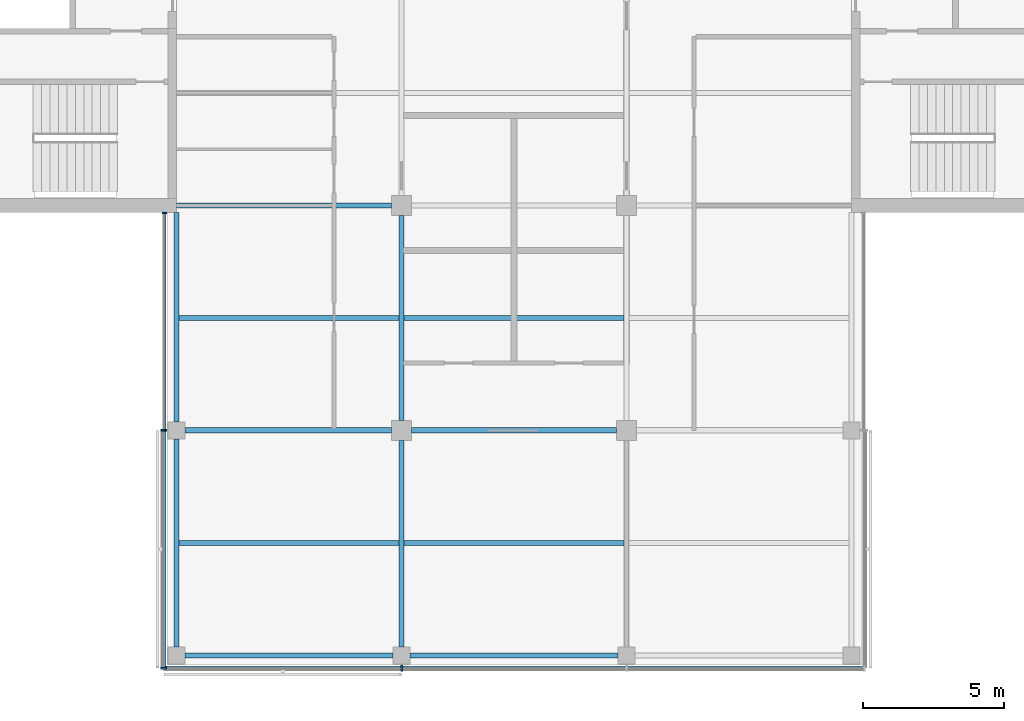
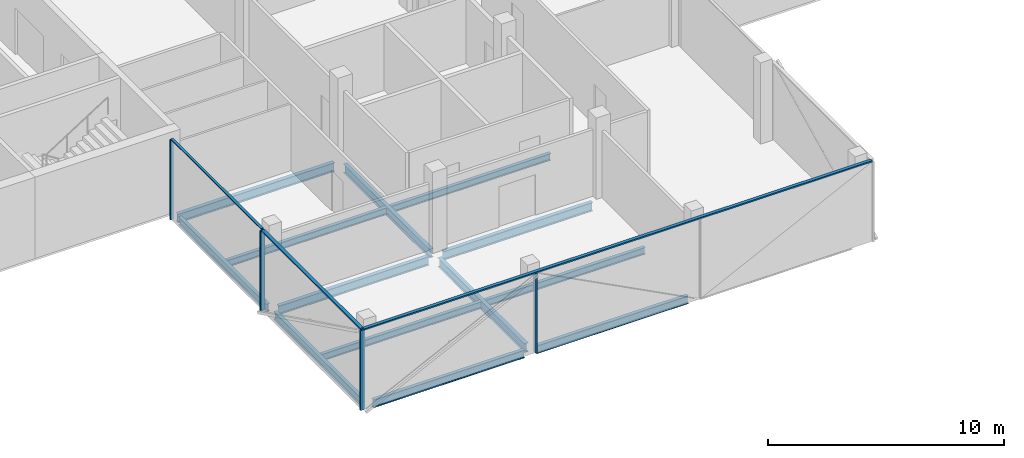
# One storey, part 2 of 16: 13 beams, 8 members, 3 elements without a shape of their own.
"""IFC4 building model written with IfcOpenShell, lengths in metres."""

from ifc_helpers import new_model, si_unit, direction, frame, origin, origin_2d, place, context, subcontext, project, spatial, rectangle, i_section, extrude, material, material_profile, profile_set, type_object, element, aggregate, save


model = new_model("IFC4")

# Units and contexts
model_context = context("Model", 3, precision=1e-05, world=origin(), true_north=direction((0.0, 1.0)))
body_context = subcontext(model_context, "Body", "Model", "MODEL_VIEW")
ifc_project = project(units=[si_unit("LENGTHUNIT", "METRE"), si_unit("AREAUNIT", "SQUARE_METRE"), si_unit("VOLUMEUNIT", "CUBIC_METRE"), si_unit("PLANEANGLEUNIT", "RADIAN"), si_unit("MASSUNIT", "GRAM", prefix="KILO")], contexts=[model_context])

# Site, building, storey
site_placement = place(None, origin())
site = spatial("IfcSite", under=ifc_project, at=site_placement, CompositionType="ELEMENT")
building_placement = place(site_placement, origin())
building = spatial("IfcBuilding", under=site, at=building_placement, Name="Crosswind Convention Tower", CompositionType="ELEMENT")
storey_placement = place(building_placement, frame((0.0, 0.0, 274.5)))
storey = spatial("IfcBuildingStorey", under=building, at=storey_placement, Name="L59", CompositionType="ELEMENT", Elevation=274.5)

# Beams
ifc_material_1 = material(Name="Steel S355", Category="steel")
ifc_material_profile_1 = material_profile(ifc_material_1, i_section(OverallWidth=0.177734375, OverallDepth=0.406494140625, WebThickness=0.0078125, FlangeThickness=0.0126953125, FilletRadius=0.01025390625, at=origin_2d()), Name="UB 406x178x60")
ifc_profile_set_1 = profile_set([ifc_material_profile_1], Name="Steel S355")
beam_type_1 = type_object("IfcBeamType", Name="Edge beam UB 406x178x60", PredefinedType="SPANDREL", material=ifc_profile_set_1)
beam_1_placement = place(storey_placement, frame((113.0, 72.300048828125, -0.503173828125), z_axis=(0.0, 1.0, 0.0), x_axis=(-1.0, 0.0, 0.0)))
element("IfcBeam", 1, at=beam_1_placement, inside=storey, type_object=beam_type_1, Name="B15 L59 edge beam 1", PredefinedType="SPANDREL", context=body_context, shape_type="SweptSolid", body=[
    extrude(i_section(OverallWidth=0.177734375, OverallDepth=0.406494140625, WebThickness=0.0078125, FlangeThickness=0.0126953125, FilletRadius=0.01025390625, at=origin_2d()), origin(), (0.0, 0.0, 1.0), 7.39990234375),
])
beam_2_placement = place(storey_placement, frame((113.0, 80.300048828125, -0.503173828125), z_axis=(0.0, 1.0, 0.0), x_axis=(-1.0, 0.0, 0.0)))
element("IfcBeam", 2, at=beam_2_placement, inside=storey, type_object=beam_type_1, Name="B15 L59 edge beam 2", PredefinedType="SPANDREL", context=body_context, shape_type="SweptSolid", body=[
    extrude(i_section(OverallWidth=0.177734375, OverallDepth=0.406494140625, WebThickness=0.0078125, FlangeThickness=0.0126953125, FilletRadius=0.01025390625, at=origin_2d()), origin(), (0.0, 0.0, 1.0), 7.449951171875),
])
for number, where, z_axis, x_axis, name in (
    (3, (113.300048828125, 72.0, -0.503173828125), (1.0, 0.0, 0.0), (0.0, 1.0, 0.0), "B15 L59 edge beam 5"),
    (4, (121.300048828125, 72.0, -0.503173828125), (1.0, 0.0, 0.0), (0.0, 1.0, 0.0), "B15 L59 edge beam 7"),
):
    element("IfcBeam", number, at=place(storey_placement, frame(where, z_axis=z_axis, x_axis=x_axis)), inside=storey, type_object=beam_type_1, Name=name, PredefinedType="SPANDREL", context=body_context, shape_type="SweptSolid", body=[
        extrude(i_section(OverallWidth=0.177734375, OverallDepth=0.406494140625, WebThickness=0.0078125, FlangeThickness=0.0126953125, FilletRadius=0.01025390625, at=origin_2d()), origin(), (0.0, 0.0, 1.0), 7.39990234375),
    ])
ifc_material_profile_2 = material_profile(ifc_material_1, i_section(OverallWidth=0.18994140625, OverallDepth=0.45361328125, WebThickness=0.008544921875, FlangeThickness=0.0126953125, FilletRadius=0.01025390625, at=origin_2d()), Name="UB 457x191x67")
ifc_profile_set_2 = profile_set([ifc_material_profile_2], Name="Steel S355")
beam_type_2 = type_object("IfcBeamType", Name="Girder UB 457x191x67", PredefinedType="BEAM", material=ifc_profile_set_2)
for number, where, z_axis, x_axis, name in (
    (5, (113.300048828125, 80.0, -0.52685546875), (1.0, 0.0, 0.0), (0.0, 1.0, 0.0), "B1 L59 girder 1"),
    (6, (121.0, 72.300048828125, -0.52685546875), (0.0, 1.0, 0.0), (-1.0, 0.0, 0.0), "B1 L59 girder 3"),
):
    element("IfcBeam", number, at=place(storey_placement, frame(where, z_axis=z_axis, x_axis=x_axis)), inside=storey, type_object=beam_type_2, Name=name, PredefinedType="BEAM", context=body_context, shape_type="SweptSolid", body=[
        extrude(i_section(OverallWidth=0.18994140625, OverallDepth=0.45361328125, WebThickness=0.008544921875, FlangeThickness=0.0126953125, FilletRadius=0.01025390625, at=origin_2d()), origin(), (0.0, 0.0, 1.0), 7.349853515625),
    ])
for number, where, z_axis, x_axis, name in (
    (7, (121.0, 80.35009765625, -0.52685546875), (0.0, 1.0, 0.0), (-1.0, 0.0, 0.0), "B1 L59 girder 4"),
    (8, (121.35009765625, 80.0, -0.52685546875), (1.0, 0.0, 0.0), (0.0, 1.0, 0.0), "B1 L59 girder 10"),
):
    element("IfcBeam", number, at=place(storey_placement, frame(where, z_axis=z_axis, x_axis=x_axis)), inside=storey, type_object=beam_type_2, Name=name, PredefinedType="BEAM", context=body_context, shape_type="SweptSolid", body=[
        extrude(i_section(OverallWidth=0.18994140625, OverallDepth=0.45361328125, WebThickness=0.008544921875, FlangeThickness=0.0126953125, FilletRadius=0.01025390625, at=origin_2d()), origin(), (0.0, 0.0, 1.0), 7.2998046875),
    ])
ifc_material_profile_3 = material_profile(ifc_material_1, i_section(OverallWidth=0.1904296875, OverallDepth=0.457275390625, WebThickness=0.009033203125, FlangeThickness=0.014404296875, FilletRadius=0.01025390625, at=origin_2d()), Name="UB 457x191x75")
ifc_profile_set_3 = profile_set([ifc_material_profile_3], Name="Steel S355")
beam_type_3 = type_object("IfcBeamType", Name="Girder at core wall UB 457x191x75", PredefinedType="BEAM", material=ifc_profile_set_3)
beam_3_placement = place(storey_placement, frame((113.0, 88.0, -0.528564453125), z_axis=(1.0, 0.0, 0.0), x_axis=(0.0, 1.0, 0.0)))
element("IfcBeam", 9, at=beam_3_placement, inside=storey, type_object=beam_type_3, Name="B22 L59 girder at core wall 1", PredefinedType="BEAM", context=body_context, shape_type="SweptSolid", body=[
    extrude(i_section(OverallWidth=0.1904296875, OverallDepth=0.457275390625, WebThickness=0.009033203125, FlangeThickness=0.014404296875, FilletRadius=0.01025390625, at=origin_2d()), origin(), (0.0, 0.0, 1.0), 7.64990234375),
])

# Curtain wall, members
ifc_material_2 = material(Name="Aluminium unitised curtain wall", Category="aluminium")
curtain_wall_type_1 = type_object("IfcCurtainWallType", Name="CORE END SLOT WALL 160", PredefinedType="USERDEFINED", material=ifc_material_2)
curtain_wall_1_placement = place(storey_placement, origin())
curtain_wall_1 = element("IfcCurtainWall", 10, at=curtain_wall_1_placement, inside=storey, type_object=curtain_wall_type_1, Name="CW6 L59 S-W.1-1 slot", ObjectType="UNITISED", PredefinedType="USERDEFINED")
ifc_material_3 = material(Name="Aluminium mullion", Category="aluminium")
ifc_material_profile_4 = material_profile(ifc_material_3, rectangle(XDim=0.159912109375, YDim=0.050048828125, at=origin_2d()), Name="AL 160X50")
ifc_profile_set_4 = profile_set([ifc_material_profile_4], Name="Aluminium mullion")
member_type_1 = type_object("IfcMemberType", Name="MULLION 50X160", PredefinedType="MULLION", material=ifc_profile_set_4)
member_1_placement = place(storey_placement, frame((112.570068359375, 87.72509765625, -0.300048828125), z_axis=(0.0, 0.0, 1.0), x_axis=(-1.0, 0.0, 0.0)))
member_1 = element("IfcMember", 11, at=member_1_placement, type_object=member_type_1, Name="CW6 mullion 1", PredefinedType="MULLION", context=body_context, shape_type="SweptSolid", body=[
    extrude(rectangle(XDim=0.159912109375, YDim=0.050048828125, at=origin_2d()), origin(), (0.0, 0.0, 1.0), 4.150146484375),
])
member_2_placement = place(storey_placement, frame((112.570068359375, 80.02490234375, -0.300048828125), z_axis=(0.0, 0.0, 1.0), x_axis=(-1.0, 0.0, 0.0)))
member_2 = element("IfcMember", 12, at=member_2_placement, type_object=member_type_1, Name="CW6 mullion 2", PredefinedType="MULLION", context=body_context, shape_type="SweptSolid", body=[
    extrude(rectangle(XDim=0.159912109375, YDim=0.050048828125, at=origin_2d()), origin(), (0.0, 0.0, 1.0), 4.150146484375),
])

curtain_wall_type_2 = type_object("IfcCurtainWallType", Name="OFFICE UNITISED WALL 220", PredefinedType="USERDEFINED", material=ifc_material_2)
curtain_wall_2_placement = place(storey_placement, origin())
curtain_wall_2 = element("IfcCurtainWall", 13, at=curtain_wall_2_placement, inside=storey, type_object=curtain_wall_type_2, Name="CW3 L59 S-W 1", ObjectType="UNITISED", PredefinedType="USERDEFINED")
ifc_material_profile_5 = material_profile(ifc_material_3, rectangle(XDim=0.219970703125, YDim=0.070068359375, at=origin_2d()), Name="AL 220X70")
ifc_profile_set_5 = profile_set([ifc_material_profile_5], Name="Aluminium mullion")
member_type_2 = type_object("IfcMemberType", Name="MULLION 70X220", PredefinedType="MULLION", material=ifc_profile_set_5)
member_3_placement = place(storey_placement, frame((112.5400390625, 80.0, -0.300048828125), z_axis=(0.0, 0.0, 1.0), x_axis=(-1.0, 0.0, 0.0)))
member_3 = element("IfcMember", 14, at=member_3_placement, type_object=member_type_2, Name="CW3 mullion 1", PredefinedType="MULLION", context=body_context, shape_type="SweptSolid", body=[
    extrude(rectangle(XDim=0.219970703125, YDim=0.070068359375, at=origin_2d()), origin(), (0.0, 0.0, 1.0), 4.130126953125),
])
member_4_placement = place(storey_placement, frame((112.5400390625, 71.5400390625, -0.300048828125), z_axis=(0.0, 0.0, 1.0), x_axis=(-1.0, 0.0, 0.0)))
member_4 = element("IfcMember", 15, at=member_4_placement, type_object=member_type_2, Name="CW3 mullion 2", PredefinedType="MULLION", context=body_context, shape_type="SweptSolid", body=[
    extrude(rectangle(XDim=0.219970703125, YDim=0.070068359375, at=origin_2d()), origin(), (0.0, 0.0, 1.0), 4.130126953125),
])

# Curtain wall, member
curtain_wall_3_placement = place(storey_placement, origin())
curtain_wall_3 = element("IfcCurtainWall", 16, at=curtain_wall_3_placement, inside=storey, type_object=curtain_wall_type_2, Name="CW3 L59 S-TIP 1", ObjectType="UNITISED", PredefinedType="USERDEFINED")
member_5_placement = place(storey_placement, frame((121.0, 71.5400390625, -0.300048828125), z_axis=(0.0, 0.0, 1.0), x_axis=(0.0, -1.0, 0.0)))
member_5 = element("IfcMember", 17, at=member_5_placement, type_object=member_type_2, Name="CW3 mullion 2", PredefinedType="MULLION", context=body_context, shape_type="SweptSolid", body=[
    extrude(rectangle(XDim=0.219970703125, YDim=0.070068359375, at=origin_2d()), origin(), (0.0, 0.0, 1.0), 4.130126953125),
])

# Beams
ifc_material_profile_6 = material_profile(ifc_material_1, i_section(OverallWidth=0.17138671875, OverallDepth=0.355712890625, WebThickness=0.00732421875, FlangeThickness=0.011474609375, FilletRadius=0.01025390625, at=origin_2d()), Name="UB 356x171x51")
ifc_profile_set_6 = profile_set([ifc_material_profile_6], Name="Steel S355")
beam_type_4 = type_object("IfcBeamType", Name="Secondary beam UB 356x171x51", PredefinedType="JOIST", material=ifc_profile_set_6)
for number, where, z_axis, x_axis, name in (
    (18, (113.0888671875, 76.0, -0.477783203125), (1.0, 0.0, 0.0), (0.0, 1.0, 0.0), "B8 L59 secondary beam 4"),
    (19, (113.0888671875, 84.0, -0.477783203125), (1.0, 0.0, 0.0), (0.0, 1.0, 0.0), "B8 L59 secondary beam 5"),
):
    element("IfcBeam", number, at=place(storey_placement, frame(where, z_axis=z_axis, x_axis=x_axis)), inside=storey, type_object=beam_type_4, Name=name, PredefinedType="JOIST", context=body_context, shape_type="SweptSolid", body=[
        extrude(i_section(OverallWidth=0.17138671875, OverallDepth=0.355712890625, WebThickness=0.00732421875, FlangeThickness=0.011474609375, FilletRadius=0.01025390625, at=origin_2d()), origin(), (0.0, 0.0, 1.0), 7.816162109375),
    ])
for number, where, z_axis, x_axis, name in (
    (20, (121.094970703125, 76.0, -0.477783203125), (1.0, 0.0, 0.0), (0.0, 1.0, 0.0), "B8 L59 secondary beam 8"),
    (21, (121.094970703125, 84.0, -0.477783203125), (1.0, 0.0, 0.0), (0.0, 1.0, 0.0), "B8 L59 secondary beam 9"),
):
    element("IfcBeam", number, at=place(storey_placement, frame(where, z_axis=z_axis, x_axis=x_axis)), inside=storey, type_object=beam_type_4, Name=name, PredefinedType="JOIST", context=body_context, shape_type="SweptSolid", body=[
        extrude(i_section(OverallWidth=0.17138671875, OverallDepth=0.355712890625, WebThickness=0.00732421875, FlangeThickness=0.011474609375, FilletRadius=0.01025390625, at=origin_2d()), origin(), (0.0, 0.0, 1.0), 7.81005859375),
    ])

# Member
ifc_material_4 = material(Name="Aluminium transom", Category="aluminium")
ifc_material_profile_7 = material_profile(ifc_material_4, rectangle(XDim=0.1201171875, YDim=0.050048828125, at=origin_2d()), Name="AL 120X50")
ifc_profile_set_7 = profile_set([ifc_material_profile_7], Name="Aluminium transom")
member_type_3 = type_object("IfcMemberType", Name="TRANSOM 50X120", PredefinedType="USERDEFINED", material=ifc_profile_set_7)
member_6_placement = place(storey_placement, frame((112.570068359375, 87.699951171875, 3.875), z_axis=(0.0, -1.0, 0.0), x_axis=(1.0, 0.0, 0.0)))
member_6 = element("IfcMember", 22, at=member_6_placement, type_object=member_type_3, Name="CW6 transom", ObjectType="TRANSOM", PredefinedType="USERDEFINED", context=body_context, shape_type="SweptSolid", body=[
    extrude(rectangle(XDim=0.1201171875, YDim=0.050048828125, at=origin_2d()), origin(), (0.0, 0.0, 1.0), 7.64990234375),
])

aggregate(curtain_wall_1, [member_1, member_2, member_6])

ifc_material_profile_8 = material_profile(ifc_material_4, rectangle(XDim=0.159912109375, YDim=0.070068359375, at=origin_2d()), Name="AL 160X70")
ifc_profile_set_8 = profile_set([ifc_material_profile_8], Name="Aluminium transom")
member_type_4 = type_object("IfcMemberType", Name="TRANSOM 70X160", PredefinedType="USERDEFINED", material=ifc_profile_set_8)
member_7_placement = place(storey_placement, frame((112.5400390625, 79.965087890625, 3.864990234375), z_axis=(0.0, -1.0, 0.0), x_axis=(1.0, 0.0, 0.0)))
member_7 = element("IfcMember", 23, at=member_7_placement, type_object=member_type_4, Name="CW3 transom", ObjectType="TRANSOM", PredefinedType="USERDEFINED", context=body_context, shape_type="SweptSolid", body=[
    extrude(rectangle(XDim=0.159912109375, YDim=0.070068359375, at=origin_2d()), origin(), (0.0, 0.0, 1.0), 8.39013671875),
])

aggregate(curtain_wall_2, [member_3, member_4, member_7])

member_8_placement = place(storey_placement, frame((112.574951171875, 71.5400390625, 3.864990234375), z_axis=(1.0, 0.0, 0.0), x_axis=(0.0, 1.0, 0.0)))
member_8 = element("IfcMember", 24, at=member_8_placement, type_object=member_type_4, Name="CW3 transom", ObjectType="TRANSOM", PredefinedType="USERDEFINED", context=body_context, shape_type="SweptSolid", body=[
    extrude(rectangle(XDim=0.159912109375, YDim=0.070068359375, at=origin_2d()), origin(), (0.0, 0.0, 1.0), 24.85009765625),
])

aggregate(curtain_wall_3, [member_5, member_8])

save(model, "model.ifc")
